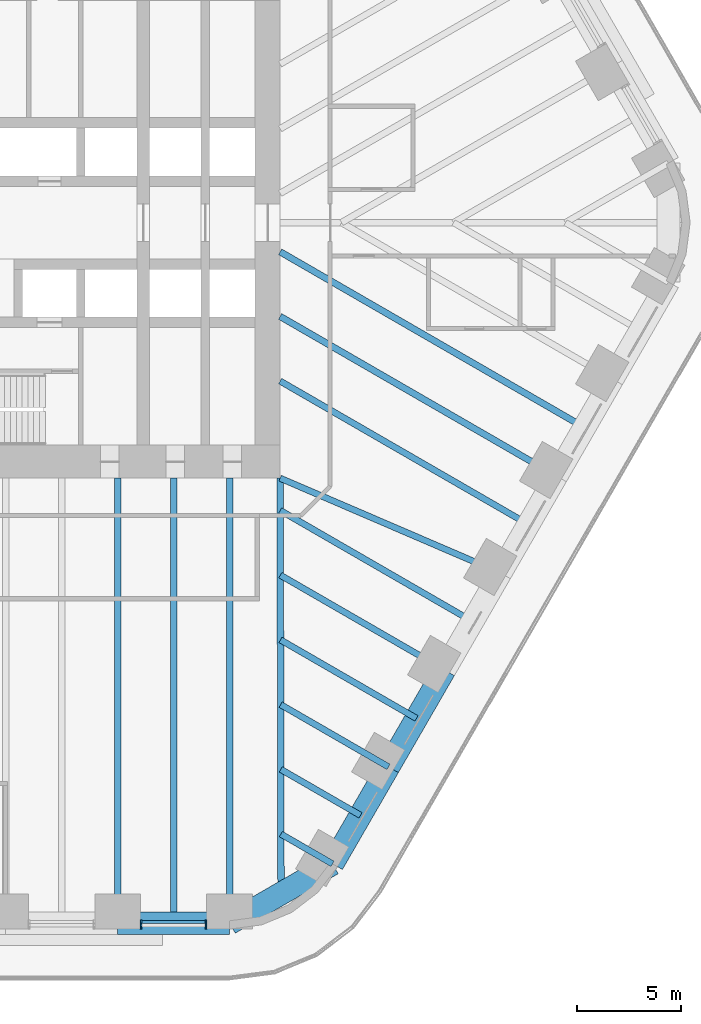
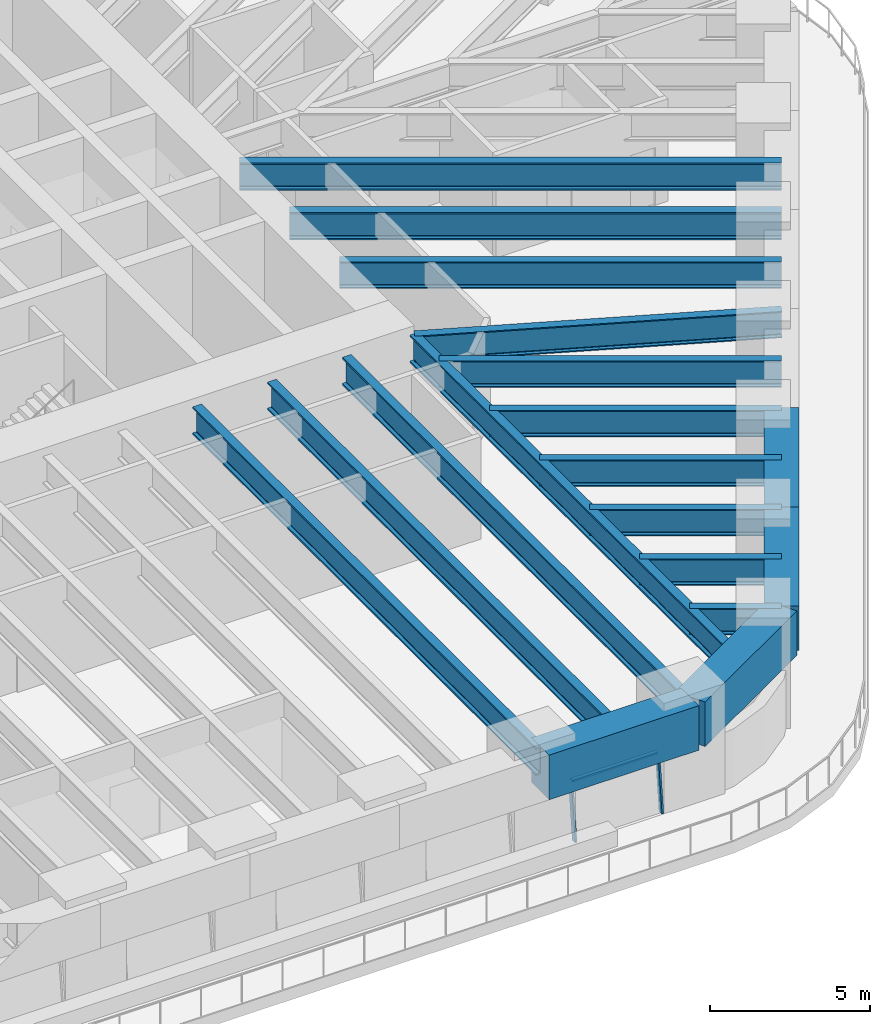
# One storey, part 3 of 16: 18 beams, 3 members, 1 element without a shape of its own.
"""IFC4 building model written with IfcOpenShell, lengths in metres."""

from ifc_helpers import new_model, si_unit, direction, frame, origin, origin_2d, place, context, subcontext, project, spatial, rectangle, i_section, extrude, material, material_profile, profile_set, type_object, element, aggregate, save


model = new_model("IFC4")

# Units and contexts
model_context = context("Model", 3, precision=1e-05, world=origin(), true_north=direction((0.0, 1.0)))
body_context = subcontext(model_context, "Body", "Model", "MODEL_VIEW")
ifc_project = project(units=[si_unit("LENGTHUNIT", "METRE"), si_unit("AREAUNIT", "SQUARE_METRE"), si_unit("VOLUMEUNIT", "CUBIC_METRE"), si_unit("PLANEANGLEUNIT", "RADIAN"), si_unit("MASSUNIT", "GRAM", prefix="KILO")], contexts=[model_context])

# Site, building, storey
site_placement = place(None, origin())
site = spatial("IfcSite", under=ifc_project, at=site_placement, CompositionType="ELEMENT")
building_placement = place(site_placement, origin())
building = spatial("IfcBuilding", under=site, at=building_placement, Name="Tarfa Lantern Tower", CompositionType="ELEMENT")
storey_placement = place(building_placement, frame((0.0, 0.0, 103.300048828125)))
storey = spatial("IfcBuildingStorey", under=building, at=storey_placement, Name="L23", CompositionType="ELEMENT", Elevation=103.300048828125)

# Curtain wall, members
ifc_material_1 = material(Name="Aluminium framed curtain wall", Category="aluminium")
curtain_wall_type = type_object("IfcCurtainWallType", Name="CW1 CANTED GLAZING LOW ZONE 2200", PredefinedType="USERDEFINED", material=ifc_material_1)
curtain_wall_placement = place(storey_placement, origin())
curtain_wall = element("IfcCurtainWall", 1, at=curtain_wall_placement, inside=storey, type_object=curtain_wall_type, Name="CW1 S L23", ObjectType="CURTAIN WALL", PredefinedType="USERDEFINED")
ifc_material_2 = material(Name="Aluminium mullion", Category="aluminium")
ifc_material_profile_1 = material_profile(ifc_material_2, rectangle(XDim=0.06494140625, YDim=0.199951171875, at=origin_2d()), Name="AL MULLION 65x200")
ifc_profile_set_1 = profile_set([ifc_material_profile_1], Name="Aluminium mullion")
member_type_1 = type_object("IfcMemberType", Name="CWM1 MULLION 65x200", PredefinedType="MULLION", material=ifc_profile_set_1)
member_1_placement = place(storey_placement, frame((11.90966796875, -33.89990234375, 0.0), z_axis=(0.0, 0.112912162136, 0.99360497364), x_axis=(-1.0, 0.0, 0.0)))
member_1 = element("IfcMember", 2, at=member_1_placement, type_object=member_type_1, Name="CW1 mullion 1", PredefinedType="MULLION", context=body_context, shape_type="SweptSolid", body=[
    extrude(rectangle(XDim=0.06494140625, YDim=0.199951171875, at=origin_2d()), origin(), (0.0, 0.0, 1.0), 2.214111328125),
])
member_2_placement = place(storey_placement, frame((15.033203125, -33.89990234375, 0.0), z_axis=(0.0, 0.112912162136, 0.99360497364), x_axis=(-1.0, 0.0, 0.0)))
member_2 = element("IfcMember", 3, at=member_2_placement, type_object=member_type_1, Name="CW1 mullion 2", PredefinedType="MULLION", context=body_context, shape_type="SweptSolid", body=[
    extrude(rectangle(XDim=0.06494140625, YDim=0.199951171875, at=origin_2d()), origin(), (0.0, 0.0, 1.0), 2.214111328125),
])
ifc_material_3 = material(Name="Aluminium transom", Category="aluminium")
ifc_material_profile_2 = material_profile(ifc_material_3, rectangle(XDim=0.14990234375, YDim=0.06494140625, at=origin_2d()), Name="AL TRANSOM 150x65")
ifc_profile_set_2 = profile_set([ifc_material_profile_2], Name="Aluminium transom")
member_type_2 = type_object("IfcMemberType", Name="CWT1 TRANSOM 150x65", PredefinedType="USERDEFINED", material=ifc_profile_set_2)
member_3_placement = place(storey_placement, frame((11.942138671875, -33.65380859375, 2.16748046875), z_axis=(1.0, 0.0, 0.0), x_axis=(0.0, 1.0, 0.0)))
member_3 = element("IfcMember", 4, at=member_3_placement, type_object=member_type_2, Name="CW1 transom 1.2", ObjectType="TRANSOM", PredefinedType="USERDEFINED", context=body_context, shape_type="SweptSolid", body=[
    extrude(rectangle(XDim=0.14990234375, YDim=0.06494140625, at=origin_2d()), origin(), (0.0, 0.0, 1.0), 3.05859375),
])
aggregate(curtain_wall, [member_1, member_2, member_3])

# Beams
ifc_material_4 = material(Name="Concrete C80/95", Category="concrete")
ifc_material_profile_3 = material_profile(ifc_material_4, rectangle(XDim=1.10009765625, YDim=1.699951171875, at=origin_2d()), Name="RC 1100x1700")
ifc_profile_set_3 = profile_set([ifc_material_profile_3], Name="Concrete C80/95")
beam_type_1 = type_object("IfcBeamType", Name="RB1 RC 1100x1700", PredefinedType="BEAM", material=ifc_profile_set_3)
beam_1_placement = place(storey_placement, frame((10.777099609375, -33.719970703125, 3.050048828125), z_axis=(1.0, 0.0, 0.0), x_axis=(0.0, 1.0, 0.0)))
element("IfcBeam", 5, at=beam_1_placement, inside=storey, type_object=beam_type_1, Name="Edge beam S5", PredefinedType="BEAM", context=body_context, shape_type="SweptSolid", body=[
    extrude(rectangle(XDim=1.10009765625, YDim=1.699951171875, at=origin_2d()), origin(), (0.0, 0.0, 1.0), 5.388671875),
])
beam_2_placement = place(storey_placement, frame((16.165771484375, -33.719970703125, 3.050048828125), z_axis=(0.866033479681, 0.499986011877, 0.0), x_axis=(-0.499986011877, 0.866033479681, 0.0)))
element("IfcBeam", 6, at=beam_2_placement, inside=storey, type_object=beam_type_1, Name="Edge beam S6", PredefinedType="BEAM", context=body_context, shape_type="SweptSolid", body=[
    extrude(rectangle(XDim=1.10009765625, YDim=1.699951171875, at=origin_2d()), origin(), (0.0, 0.0, 1.0), 5.719970703125),
])
for number, where, z_axis, x_axis, name in (
    (7, (21.119384765625, -30.860107421875, 3.050048828125), (0.499998287579, 0.866026392449, 0.0), (-0.866026392449, 0.499998287579, 0.0), "Edge beam SE0"),
    (8, (23.813720703125, -26.193359375, 3.050048828125), (0.499998287579, 0.866026392449, 0.0), (-0.866026392449, 0.499998287579, 0.0), "Edge beam SE1"),
):
    element("IfcBeam", number, at=place(storey_placement, frame(where, z_axis=z_axis, x_axis=x_axis)), inside=storey, type_object=beam_type_1, Name=name, PredefinedType="BEAM", context=body_context, shape_type="SweptSolid", body=[
        extrude(rectangle(XDim=1.10009765625, YDim=1.699951171875, at=origin_2d()), origin(), (0.0, 0.0, 1.0), 5.388671875),
    ])
ifc_material_5 = material(Name="Steel S460M", Category="steel")
ifc_material_profile_4 = material_profile(ifc_material_5, i_section(OverallWidth=0.302001953125, OverallDepth=1.008056640625, WebThickness=0.02099609375, FlangeThickness=0.0400390625, FilletRadius=0.030029296875, at=origin_2d()), Name="UB1016x305x349")
ifc_profile_set_4 = profile_set([ifc_material_profile_4], Name="Steel S460M")
beam_type_2 = type_object("IfcBeamType", Name="UB1016x305x349", PredefinedType="BEAM", material=ifc_profile_set_4)
beam_3_placement = place(storey_placement, frame((21.119384765625, -30.860107421875, 3.39599609375), z_axis=(-0.866012580594, 0.500022209759, 0.0), x_axis=(-0.500022209759, -0.866012580594, 0.0)))
element("IfcBeam", 9, at=beam_3_placement, inside=storey, type_object=beam_type_2, Name="Floor beam SE0", PredefinedType="BEAM", context=body_context, shape_type="SweptSolid", body=[
    extrude(i_section(OverallWidth=0.302001953125, OverallDepth=1.008056640625, WebThickness=0.02099609375, FlangeThickness=0.0400390625, FilletRadius=0.030029296875, at=origin_2d()), origin(), (0.0, 0.0, 1.0), 2.866943359375),
])
beam_4_placement = place(storey_placement, frame((23.813720703125, -26.193359375, 3.39599609375), z_axis=(-0.866015997389, 0.500016292001, 0.0), x_axis=(-0.500016292001, -0.866015997389, 0.0)))
element("IfcBeam", 10, at=beam_4_placement, inside=storey, type_object=beam_type_2, Name="Floor beam SE1", PredefinedType="BEAM", context=body_context, shape_type="SweptSolid", body=[
    extrude(i_section(OverallWidth=0.302001953125, OverallDepth=1.008056640625, WebThickness=0.02099609375, FlangeThickness=0.0400390625, FilletRadius=0.030029296875, at=origin_2d()), origin(), (0.0, 0.0, 1.0), 5.993408203125),
])
beam_5_placement = place(storey_placement, frame((26.508056640625, -21.526611328125, 3.39599609375), z_axis=(-0.866035355799, 0.49998276221, 0.0), x_axis=(-0.49998276221, -0.866035355799, 0.0)))
element("IfcBeam", 11, at=beam_5_placement, inside=storey, type_object=beam_type_2, Name="Floor beam SE2", PredefinedType="BEAM", context=body_context, shape_type="SweptSolid", body=[
    extrude(i_section(OverallWidth=0.302001953125, OverallDepth=1.008056640625, WebThickness=0.02099609375, FlangeThickness=0.0400390625, FilletRadius=0.030029296875, at=origin_2d()), origin(), (0.0, 0.0, 1.0), 9.119873046875),
])
beam_6_placement = place(storey_placement, frame((29.202392578125, -16.860107421875, 3.39599609375), z_axis=(-0.918635483867, 0.395106122175, 0.0), x_axis=(-0.395106122175, -0.918635483867, 0.0)))
element("IfcBeam", 12, at=beam_6_placement, inside=storey, type_object=beam_type_2, Name="Floor beam SE3", PredefinedType="BEAM", context=body_context, shape_type="SweptSolid", body=[
    extrude(i_section(OverallWidth=0.302001953125, OverallDepth=1.008056640625, WebThickness=0.02099609375, FlangeThickness=0.0400390625, FilletRadius=0.030029296875, at=origin_2d()), origin(), (0.0, 0.0, 1.0), 11.541259765625),
])
beam_7_placement = place(storey_placement, frame((22.466552734375, -28.526611328125, 3.39599609375), z_axis=(-0.866026823135, 0.499997541604, 0.0), x_axis=(-0.499997541604, -0.866026823135, 0.0)))
element("IfcBeam", 13, at=beam_7_placement, inside=storey, type_object=beam_type_2, Name="Floor beam SE0M", PredefinedType="BEAM", context=body_context, shape_type="SweptSolid", body=[
    extrude(i_section(OverallWidth=0.302001953125, OverallDepth=1.008056640625, WebThickness=0.02099609375, FlangeThickness=0.0400390625, FilletRadius=0.030029296875, at=origin_2d()), origin(), (0.0, 0.0, 1.0), 4.43017578125),
])
beam_8_placement = place(storey_placement, frame((25.160888671875, -23.860107421875, 3.39599609375), z_axis=(-0.866009650502, 0.500027284493, 0.0), x_axis=(-0.500027284493, -0.866009650502, 0.0)))
element("IfcBeam", 14, at=beam_8_placement, inside=storey, type_object=beam_type_2, Name="Floor beam SE1M", PredefinedType="BEAM", context=body_context, shape_type="SweptSolid", body=[
    extrude(i_section(OverallWidth=0.302001953125, OverallDepth=1.008056640625, WebThickness=0.02099609375, FlangeThickness=0.0400390625, FilletRadius=0.030029296875, at=origin_2d()), origin(), (0.0, 0.0, 1.0), 7.556640625),
])
beam_9_placement = place(storey_placement, frame((27.855224609375, -19.193359375, 3.39599609375), z_axis=(-0.866028034017, 0.499995444275, 0.0), x_axis=(-0.499995444275, -0.866028034017, 0.0)))
element("IfcBeam", 15, at=beam_9_placement, inside=storey, type_object=beam_type_2, Name="Floor beam SE2M", PredefinedType="BEAM", context=body_context, shape_type="SweptSolid", body=[
    extrude(i_section(OverallWidth=0.302001953125, OverallDepth=1.008056640625, WebThickness=0.02099609375, FlangeThickness=0.0400390625, FilletRadius=0.030029296875, at=origin_2d()), origin(), (0.0, 0.0, 1.0), 10.68310546875),
])
beam_10_placement = place(storey_placement, frame((30.549560546875, -14.526611328125, 3.39599609375), z_axis=(-0.866028536827, 0.499994573371, 0.0), x_axis=(-0.499994573371, -0.866028536827, 0.0)))
element("IfcBeam", 16, at=beam_10_placement, inside=storey, type_object=beam_type_2, Name="Floor beam SE3M", PredefinedType="BEAM", context=body_context, shape_type="SweptSolid", body=[
    extrude(i_section(OverallWidth=0.302001953125, OverallDepth=1.008056640625, WebThickness=0.02099609375, FlangeThickness=0.0400390625, FilletRadius=0.030029296875, at=origin_2d()), origin(), (0.0, 0.0, 1.0), 13.798095703125),
])
ifc_material_profile_5 = material_profile(ifc_material_5, i_section(OverallWidth=0.314208984375, OverallDepth=1.055908203125, WebThickness=0.035888671875, FlangeThickness=0.06396484375, FilletRadius=0.030029296875, at=origin_2d()), Name="UB1016x305x584")
ifc_profile_set_5 = profile_set([ifc_material_profile_5], Name="Steel S460M")
beam_type_3 = type_object("IfcBeamType", Name="UB1016x305x584", PredefinedType="BEAM", material=ifc_profile_set_5)
beam_11_placement = place(storey_placement, frame((18.60009765625, -12.300048828125, 3.3720703125), z_axis=(0.00212508222, -0.99999774201, 0.0), x_axis=(0.99999774201, 0.00212508222, 0.0)))
element("IfcBeam", 17, at=beam_11_placement, inside=storey, type_object=beam_type_3, Name="Hip girder SE", PredefinedType="BEAM", context=body_context, shape_type="SweptSolid", body=[
    extrude(i_section(OverallWidth=0.314208984375, OverallDepth=1.055908203125, WebThickness=0.035888671875, FlangeThickness=0.06396484375, FilletRadius=0.030029296875, at=origin_2d()), origin(), (0.0, 0.0, 1.0), 19.989990234375),
])
for number, where, z_axis, x_axis, name in (
    (18, (10.777099609375, -33.719970703125, 3.3720703125), (0.0, 1.0, 0.0), (-1.0, 0.0, 0.0), "Floor beam S5"),
    (19, (16.165771484375, -33.719970703125, 3.3720703125), (0.0, 1.0, 0.0), (-1.0, 0.0, 0.0), "Floor beam S6"),
):
    element("IfcBeam", number, at=place(storey_placement, frame(where, z_axis=z_axis, x_axis=x_axis)), inside=storey, type_object=beam_type_3, Name=name, PredefinedType="BEAM", context=body_context, shape_type="SweptSolid", body=[
        extrude(i_section(OverallWidth=0.314208984375, OverallDepth=1.055908203125, WebThickness=0.035888671875, FlangeThickness=0.06396484375, FilletRadius=0.030029296875, at=origin_2d()), origin(), (0.0, 0.0, 1.0), 21.419921875),
    ])
beam_12_placement = place(storey_placement, frame((31.896728515625, -12.193359375, 3.3720703125), z_axis=(-0.866026971665, 0.499997284341, 0.0), x_axis=(-0.499997284341, -0.866026971665, 0.0)))
element("IfcBeam", 20, at=beam_12_placement, inside=storey, type_object=beam_type_3, Name="Floor beam SE4", PredefinedType="BEAM", context=body_context, shape_type="SweptSolid", body=[
    extrude(i_section(OverallWidth=0.314208984375, OverallDepth=1.055908203125, WebThickness=0.035888671875, FlangeThickness=0.06396484375, FilletRadius=0.030029296875, at=origin_2d()), origin(), (0.0, 0.0, 1.0), 15.353515625),
])
beam_13_placement = place(storey_placement, frame((13.471435546875, -33.719970703125, 3.3720703125), z_axis=(0.0, 1.0, 0.0), x_axis=(-1.0, 0.0, 0.0)))
element("IfcBeam", 21, at=beam_13_placement, inside=storey, type_object=beam_type_3, Name="Floor beam S5M", PredefinedType="BEAM", context=body_context, shape_type="SweptSolid", body=[
    extrude(i_section(OverallWidth=0.314208984375, OverallDepth=1.055908203125, WebThickness=0.035888671875, FlangeThickness=0.06396484375, FilletRadius=0.030029296875, at=origin_2d()), origin(), (0.0, 0.0, 1.0), 21.419921875),
])
beam_14_placement = place(storey_placement, frame((33.243896484375, -9.860107421875, 3.3720703125), z_axis=(-0.866019442478, 0.500010325144, 0.0), x_axis=(-0.500010325144, -0.866019442478, 0.0)))
element("IfcBeam", 22, at=beam_14_placement, inside=storey, type_object=beam_type_3, Name="Floor beam SE4M", PredefinedType="BEAM", context=body_context, shape_type="SweptSolid", body=[
    extrude(i_section(OverallWidth=0.314208984375, OverallDepth=1.055908203125, WebThickness=0.035888671875, FlangeThickness=0.06396484375, FilletRadius=0.030029296875, at=origin_2d()), origin(), (0.0, 0.0, 1.0), 16.909423828125),
])

save(model, "model.ifc")
